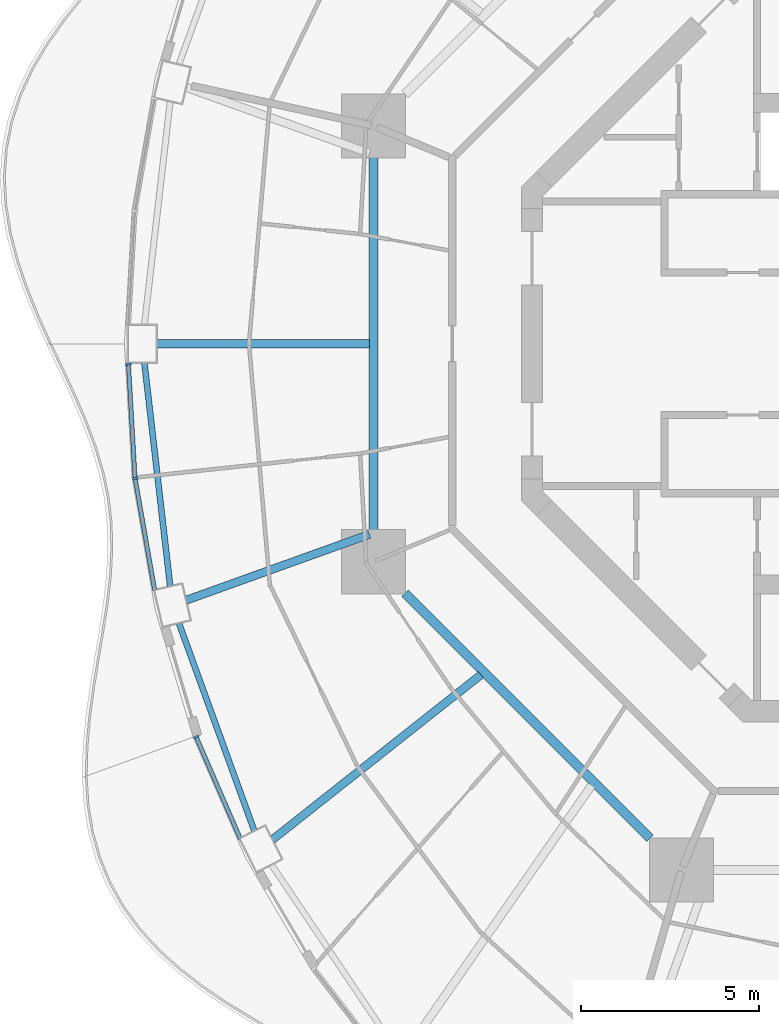
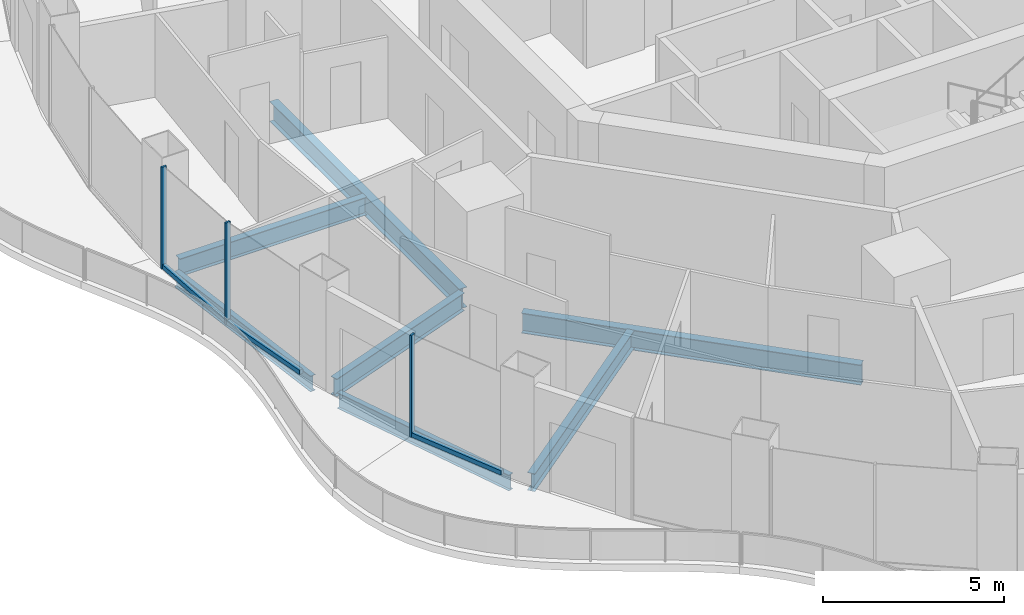
# One storey, part 3 of 19: 7 beams, 6 members, 3 elements without a shape of their own.
"""IFC4 building model written with IfcOpenShell, lengths in metres."""

from ifc_helpers import new_model, si_unit, direction, frame, origin, origin_2d, place, context, subcontext, project, spatial, rectangle, i_section, extrude, material, layer, layer_set, material_profile, profile_set, type_object, element, aggregate, save


model = new_model("IFC4")

# Units and contexts
model_context = context("Model", 3, precision=1e-05, world=origin(), true_north=direction((0.0, 1.0)))
body_context = subcontext(model_context, "Body", "Model", "MODEL_VIEW")
ifc_project = project(units=[si_unit("LENGTHUNIT", "METRE"), si_unit("AREAUNIT", "SQUARE_METRE"), si_unit("VOLUMEUNIT", "CUBIC_METRE"), si_unit("PLANEANGLEUNIT", "RADIAN"), si_unit("MASSUNIT", "GRAM", prefix="KILO")], contexts=[model_context])

# Site, building, storey
site_placement = place(None, origin())
site = spatial("IfcSite", under=ifc_project, at=site_placement, CompositionType="ELEMENT")
building_placement = place(site_placement, origin())
building = spatial("IfcBuilding", under=site, at=building_placement, Name="Nagisa Residences", CompositionType="ELEMENT")
storey_placement = place(building_placement, frame((0.0, 0.0, 188.10009765625)))
storey = spatial("IfcBuildingStorey", under=building, at=storey_placement, Name="L47", CompositionType="ELEMENT", Elevation=188.10009765625)

# Curtain wall, member
ifc_material_1 = material(Name="Concrete-coloured aluminium curtain wall system", Category="concrete")
ifc_layer = layer(ifc_material_1, 0.159912109375)
ifc_layer_set = layer_set([ifc_layer], Name="CW1 CURTAIN WALL")
curtain_wall_type = type_object("IfcCurtainWallType", Name="CW1 CURTAIN WALL", PredefinedType="NOTDEFINED", material=ifc_layer_set)
curtain_wall_1_placement = place(storey_placement, origin())
curtain_wall_1 = element("IfcCurtainWall", 1, at=curtain_wall_1_placement, inside=storey, type_object=curtain_wall_type, Name="cw:CW1:L47:24", PredefinedType="NOTDEFINED")
ifc_material_2 = material(Name="Concrete-coloured aluminium", Category="concrete")
ifc_material_profile_1 = material_profile(ifc_material_2, rectangle(XDim=0.159912109375, YDim=0.06005859375, at=origin_2d()), Name="CW1 MULLION 160x60")
ifc_profile_set_1 = profile_set([ifc_material_profile_1], Name="Concrete-coloured aluminium")
member_type_1 = type_object("IfcMemberType", Name="CW1 MULLION 160x60", PredefinedType="MULLION", material=ifc_profile_set_1)
member_1_placement = place(storey_placement, frame((-21.661865234375, -0.574462890625, 0.0), z_axis=(0.0, 0.0, 1.0), x_axis=(0.998345305184, 0.057503492216, 0.0)))
member_1 = element("IfcMember", 2, at=member_1_placement, type_object=member_type_1, Name="CW1 mullion", PredefinedType="MULLION", context=body_context, shape_type="SweptSolid", body=[
    extrude(rectangle(XDim=0.159912109375, YDim=0.06005859375, at=origin_2d()), origin(), (0.0, 0.0, 1.0), 3.43994140625),
])

curtain_wall_2_placement = place(storey_placement, origin())
curtain_wall_2 = element("IfcCurtainWall", 3, at=curtain_wall_2_placement, inside=storey, type_object=curtain_wall_type, Name="cw:CW1:L47:25", PredefinedType="NOTDEFINED")
member_2_placement = place(storey_placement, frame((-21.473876953125, -3.78466796875, 0.0), z_axis=(0.0, 0.0, 1.0), x_axis=(0.985063604377, 0.172190868898, 0.0)))
member_2 = element("IfcMember", 4, at=member_2_placement, type_object=member_type_1, Name="CW1 mullion", PredefinedType="MULLION", context=body_context, shape_type="SweptSolid", body=[
    extrude(rectangle(XDim=0.159912109375, YDim=0.06005859375, at=origin_2d()), origin(), (0.0, 0.0, 1.0), 3.43994140625),
])

curtain_wall_3_placement = place(storey_placement, origin())
curtain_wall_3 = element("IfcCurtainWall", 5, at=curtain_wall_3_placement, inside=storey, type_object=curtain_wall_type, Name="cw:CW1:L47:27", PredefinedType="NOTDEFINED")
member_3_placement = place(storey_placement, frame((-19.758056640625, -11.045654296875, 0.0), z_axis=(0.0, 0.0, 1.0), x_axis=(0.917543276295, 0.397635934147, 0.0)))
member_3 = element("IfcMember", 6, at=member_3_placement, type_object=member_type_1, Name="CW1 mullion", PredefinedType="MULLION", context=body_context, shape_type="SweptSolid", body=[
    extrude(rectangle(XDim=0.159912109375, YDim=0.06005859375, at=origin_2d()), origin(), (0.0, 0.0, 1.0), 3.43994140625),
])

# Member
ifc_material_3 = material(Name="Concrete-coloured aluminium", Category="concrete")
ifc_material_profile_2 = material_profile(ifc_material_3, rectangle(XDim=0.1201171875, YDim=0.14990234375, at=origin_2d()), Name="CW1 TRANSOM 120x150")
ifc_profile_set_2 = profile_set([ifc_material_profile_2], Name="Concrete-coloured aluminium")
member_type_2 = type_object("IfcMemberType", Name="CW1 TRANSOM 120x150", PredefinedType="USERDEFINED", material=ifc_profile_set_2)
member_4_placement = place(storey_placement, frame((-21.66357421875, -0.54443359375, 0.074951171875), z_axis=(0.057528345118, -0.998343873376, 0.0), x_axis=(0.998343873376, 0.057528345118, 0.0)))
member_4 = element("IfcMember", 7, at=member_4_placement, type_object=member_type_2, Name="CW1 transom", ObjectType="TRANSOM", PredefinedType="USERDEFINED", context=body_context, shape_type="SweptSolid", body=[
    extrude(rectangle(XDim=0.1201171875, YDim=0.14990234375, at=origin_2d()), origin(), (0.0, 0.0, 1.0), 3.225341796875),
])

aggregate(curtain_wall_1, [member_1, member_4])

member_5_placement = place(storey_placement, frame((-21.47900390625, -3.755126953125, 0.074951171875), z_axis=(0.172162664901, -0.98506853407, 0.0), x_axis=(0.98506853407, 0.172162664901, 0.0)))
member_5 = element("IfcMember", 8, at=member_5_placement, type_object=member_type_2, Name="CW1 transom", ObjectType="TRANSOM", PredefinedType="USERDEFINED", context=body_context, shape_type="SweptSolid", body=[
    extrude(rectangle(XDim=0.1201171875, YDim=0.14990234375, at=origin_2d()), origin(), (0.0, 0.0, 1.0), 3.21044921875),
])

aggregate(curtain_wall_2, [member_2, member_5])

member_6_placement = place(storey_placement, frame((-19.77001953125, -11.01806640625, 0.074951171875), z_axis=(0.397592173732, -0.917562239517, 0.0), x_axis=(0.917562239517, 0.397592173732, 0.0)))
member_6 = element("IfcMember", 9, at=member_6_placement, type_object=member_type_2, Name="CW1 transom", ObjectType="TRANSOM", PredefinedType="USERDEFINED", context=body_context, shape_type="SweptSolid", body=[
    extrude(rectangle(XDim=0.1201171875, YDim=0.14990234375, at=origin_2d()), origin(), (0.0, 0.0, 1.0), 3.14208984375),
])

aggregate(curtain_wall_3, [member_3, member_6])

# Beams
ifc_material_4 = material(Name="Steel ASTM A572 Gr 50", Category="steel")
ifc_material_profile_3 = material_profile(ifc_material_4, i_section(OverallWidth=0.25390625, OverallDepth=0.68408203125, WebThickness=0.012451171875, FlangeThickness=0.018798828125, at=origin_2d()), Name="W690x140")
ifc_profile_set_3 = profile_set([ifc_material_profile_3], Name="Steel ASTM A572 Gr 50")
beam_type_1 = type_object("IfcBeamType", Name="Inner ring beam W690x140", PredefinedType="BEAM", material=ifc_profile_set_3)
beam_1_placement = place(storey_placement, frame((-14.781982421875, 5.242919921875, -0.60205078125), z_axis=(0.0, -1.0, 0.0), x_axis=(1.0, 0.0, 0.0)))
element("IfcBeam", 10, at=beam_1_placement, inside=storey, type_object=beam_type_1, Name="beam:L47:ib4", PredefinedType="BEAM", context=body_context, shape_type="SweptSolid", body=[
    extrude(i_section(OverallWidth=0.25390625, OverallDepth=0.68408203125, WebThickness=0.012451171875, FlangeThickness=0.018798828125, at=origin_2d()), origin(), (0.0, 0.0, 1.0), 10.48583984375),
])
beam_2_placement = place(storey_placement, frame((-13.896240234375, -7.0087890625, -0.60205078125), z_axis=(0.707106781187, -0.707106781187, 0.0), x_axis=(0.707106781187, 0.707106781187, 0.0)))
element("IfcBeam", 11, at=beam_2_placement, inside=storey, type_object=beam_type_1, Name="beam:L47:ib5", PredefinedType="BEAM", context=body_context, shape_type="SweptSolid", body=[
    extrude(i_section(OverallWidth=0.25390625, OverallDepth=0.68408203125, WebThickness=0.012451171875, FlangeThickness=0.018798828125, at=origin_2d()), origin(), (0.0, 0.0, 1.0), 9.740234375),
])
ifc_material_5 = material(Name="Steel ASTM A572 Gr 50", Category="steel")
ifc_material_profile_4 = material_profile(ifc_material_5, i_section(OverallWidth=0.166015625, OverallDepth=0.534912109375, WebThickness=0.01025390625, FlangeThickness=0.0166015625, at=origin_2d()), Name="W530x85")
ifc_profile_set_4 = profile_set([ifc_material_profile_4], Name="Steel ASTM A572 Gr 50")
beam_type_2 = type_object("IfcBeamType", Name="Perimeter ring beam W530x85", PredefinedType="BEAM", material=ifc_profile_set_4)
beam_3_placement = place(storey_placement, frame((-21.2138671875, -0.530029296875, -0.527587890625), z_axis=(0.114670987431, -0.993403525583, 0.0), x_axis=(0.993403525583, 0.114670987431, 0.0)))
element("IfcBeam", 12, at=beam_3_placement, inside=storey, type_object=beam_type_2, Name="beam:L47:pb13", PredefinedType="BEAM", context=body_context, shape_type="SweptSolid", body=[
    extrude(i_section(OverallWidth=0.166015625, OverallDepth=0.534912109375, WebThickness=0.01025390625, FlangeThickness=0.0166015625, at=origin_2d()), origin(), (0.0, 0.0, 1.0), 6.325439453125),
])
beam_4_placement = place(storey_placement, frame((-20.2451171875, -7.845703125, -0.527587890625), z_axis=(0.341285525681, -0.939959674646, 0.0), x_axis=(0.939959674646, 0.341285525681, 0.0)))
element("IfcBeam", 13, at=beam_4_placement, inside=storey, type_object=beam_type_2, Name="beam:L47:pb14", PredefinedType="BEAM", context=body_context, shape_type="SweptSolid", body=[
    extrude(i_section(OverallWidth=0.166015625, OverallDepth=0.534912109375, WebThickness=0.01025390625, FlangeThickness=0.0166015625, at=origin_2d()), origin(), (0.0, 0.0, 1.0), 6.212890625),
])
ifc_material_6 = material(Name="Steel ASTM A572 Gr 50", Category="steel")
ifc_material_profile_5 = material_profile(ifc_material_6, i_section(OverallWidth=0.22802734375, OverallDepth=0.60302734375, WebThickness=0.010498046875, FlangeThickness=0.014892578125, at=origin_2d()), Name="W610x101")
ifc_profile_set_5 = profile_set([ifc_material_profile_5], Name="Steel ASTM A572 Gr 50")
beam_type_3 = type_object("IfcBeamType", Name="Radial beam W610x101", PredefinedType="BEAM", material=ifc_profile_set_5)
beam_5_placement = place(storey_placement, frame((-20.8701171875, 0.0, -0.5615234375), z_axis=(1.0, 0.0, 0.0), x_axis=(0.0, 1.0, 0.0)))
element("IfcBeam", 14, at=beam_5_placement, inside=storey, type_object=beam_type_3, Name="beam:L47:rb13", PredefinedType="BEAM", context=body_context, shape_type="SweptSolid", body=[
    extrude(i_section(OverallWidth=0.22802734375, OverallDepth=0.60302734375, WebThickness=0.010498046875, FlangeThickness=0.014892578125, at=origin_2d()), origin(), (0.0, 0.0, 1.0), 5.98095703125),
])
beam_6_placement = place(storey_placement, frame((-20.043701171875, -7.2060546875, -0.5615234375), z_axis=(0.941032808963, 0.338315315137, 0.0), x_axis=(-0.338315315137, 0.941032808963, 0.0)))
element("IfcBeam", 15, at=beam_6_placement, inside=storey, type_object=beam_type_3, Name="beam:L47:rb14", PredefinedType="BEAM", context=body_context, shape_type="SweptSolid", body=[
    extrude(i_section(OverallWidth=0.22802734375, OverallDepth=0.60302734375, WebThickness=0.010498046875, FlangeThickness=0.014892578125, at=origin_2d()), origin(), (0.0, 0.0, 1.0), 5.4765625),
])
beam_7_placement = place(storey_placement, frame((-17.617919921875, -13.930908203125, -0.5615234375), z_axis=(0.784411523752, 0.620240728593, 0.0), x_axis=(-0.620240728593, 0.784411523752, 0.0)))
element("IfcBeam", 16, at=beam_7_placement, inside=storey, type_object=beam_type_3, Name="beam:L47:rb15", PredefinedType="BEAM", context=body_context, shape_type="SweptSolid", body=[
    extrude(i_section(OverallWidth=0.22802734375, OverallDepth=0.60302734375, WebThickness=0.010498046875, FlangeThickness=0.014892578125, at=origin_2d()), origin(), (0.0, 0.0, 1.0), 7.4697265625),
])

save(model, "model.ifc")
